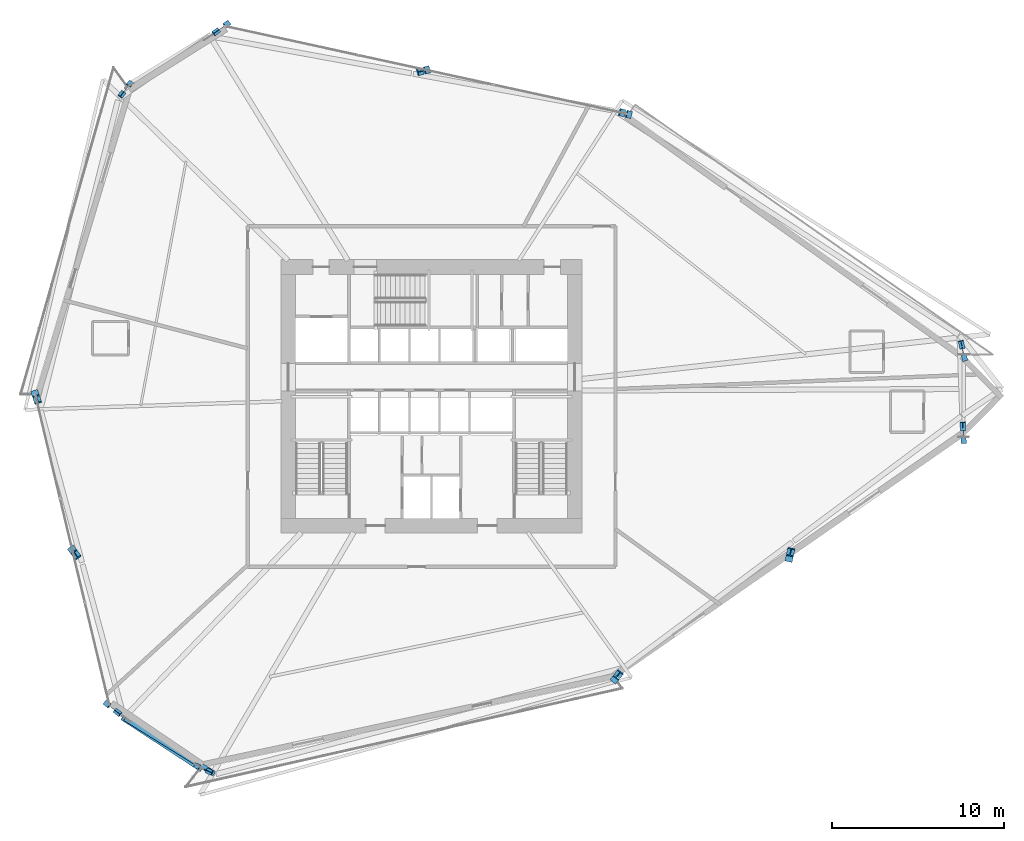
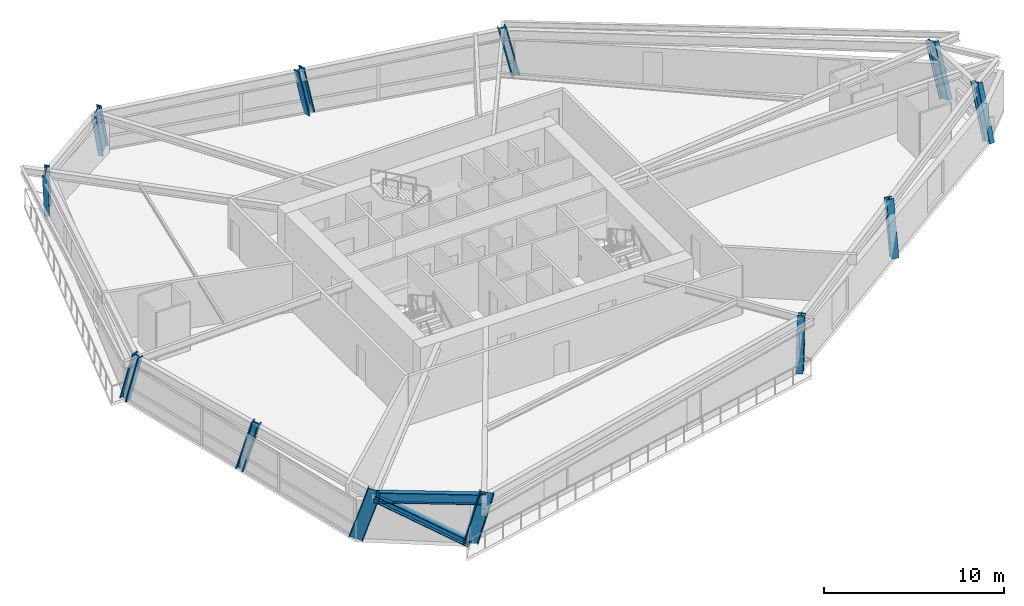
# One storey, part 1 of 21: 12 columns, 1 beam, 1 member.
"""IFC4 building model written with IfcOpenShell, lengths in metres."""

from ifc_helpers import new_model, si_unit, direction, frame, origin, origin_2d, place, context, subcontext, project, spatial, i_section, extrude, source, transform, mapped, material, material_profile, profile_set, type_object, element, save


model = new_model("IFC4")

# Units and contexts
model_context = context("Model", 3, precision=1e-05, world=origin(), true_north=direction((0.0, 1.0)))
body_context = subcontext(model_context, "Body", "Model", "MODEL_VIEW")
ifc_project = project(units=[si_unit("LENGTHUNIT", "METRE"), si_unit("AREAUNIT", "SQUARE_METRE"), si_unit("VOLUMEUNIT", "CUBIC_METRE"), si_unit("PLANEANGLEUNIT", "RADIAN"), si_unit("MASSUNIT", "GRAM", prefix="KILO")], contexts=[model_context])

# Site, building, storey
site_placement = place(None, origin())
site = spatial("IfcSite", under=ifc_project, at=site_placement, CompositionType="ELEMENT")
building_placement = place(site_placement, origin())
building = spatial("IfcBuilding", under=site, at=building_placement, Name="Olszyna Solenne Hotel", CompositionType="ELEMENT")
storey_placement = place(building_placement, frame((0.0, 0.0, 39.949951171875)))
storey = spatial("IfcBuildingStorey", under=building, at=storey_placement, Name="L09", CompositionType="ELEMENT", Elevation=39.949951171875)

# Columns
ifc_material_1 = material(Name="Steel S460M", Category="steel")
ifc_material_profile_1 = material_profile(ifc_material_1, i_section(OverallWidth=0.30810546875, OverallDepth=0.81396484375, WebThickness=0.02099609375, FlangeThickness=0.0400390625, at=origin_2d()), Name="HEM 800", Category="load-bearing")
ifc_profile_set_1 = profile_set([ifc_material_profile_1], Name="Steel S460M")
column_type_1 = type_object("IfcColumnType", Name="COL-K1", PredefinedType="COLUMN", material=ifc_profile_set_1)
shared_shape_1 = source(origin(), body_context, "Body", "SweptSolid", [
    extrude(i_section(OverallWidth=0.30810546875, OverallDepth=0.81396484375, WebThickness=0.02099609375, FlangeThickness=0.0400390625, at=origin_2d()), origin(), (0.0, 0.0, 1.0), 3.60595703125),
])
column_1_placement = place(storey_placement, frame((68.934326171875, 24.244873046875, 0.0), z_axis=(-0.018551232356, 0.344145671769, 0.938732980341), x_axis=(-0.998550274762, -0.053827026418, 0.0)))
element("IfcColumn", 1, at=column_1_placement, inside=storey, type_object=column_type_1, Name="Perimeter framed-tube column COL-K1 C-L09-01", PredefinedType="COLUMN", context=body_context, shape_type="MappedRepresentation", body=[
    mapped(shared_shape_1, transform((0.0, 0.0, 0.0), x_axis=(1.0, 0.0, 0.0), y_axis=(0.0, 1.0, 0.0), z_axis=(0.0, 0.0, 1.0), scale=1.0)),
])
shared_shape_2 = source(origin(), body_context, "Body", "SweptSolid", [
    extrude(i_section(OverallWidth=0.30810546875, OverallDepth=0.81396484375, WebThickness=0.02099609375, FlangeThickness=0.0400390625, at=origin_2d()), origin(), (0.0, 0.0, 1.0), 3.574951171875),
])
column_2_placement = place(storey_placement, frame((68.955078125, 29.029541015625, 0.0), z_axis=(-0.068973316076, 0.31420418541, 0.946846561772), x_axis=(-0.976743258821, -0.214412234603, 0.0)))
element("IfcColumn", 2, at=column_2_placement, inside=storey, type_object=column_type_1, Name="Perimeter framed-tube column COL-K1 C-L09-02", PredefinedType="COLUMN", context=body_context, shape_type="MappedRepresentation", body=[
    mapped(shared_shape_2, transform((0.0, 0.0, 0.0), x_axis=(1.0, 0.0, 0.0), y_axis=(0.0, 1.0, 0.0), z_axis=(0.0, 0.0, 1.0), scale=1.0)),
])
ifc_material_profile_2 = material_profile(ifc_material_1, i_section(OverallWidth=0.424072265625, OverallDepth=0.47412109375, WebThickness=0.04296875, FlangeThickness=0.068115234375, at=origin_2d()), Name="HD 400x634", Category="load-bearing")
ifc_profile_set_2 = profile_set([ifc_material_profile_2], Name="Steel S460M")
column_type_2 = type_object("IfcColumnType", Name="COL-T1", PredefinedType="COLUMN", material=ifc_profile_set_2)
shared_shape_3 = source(origin(), body_context, "Body", "SweptSolid", [
    extrude(i_section(OverallWidth=0.424072265625, OverallDepth=0.47412109375, WebThickness=0.04296875, FlangeThickness=0.068115234375, at=origin_2d()), origin(), (0.0, 0.0, 1.0), 3.474609375),
])
column_3_placement = place(storey_placement, frame((49.411865234375, 43.01513671875, 0.0), z_axis=(-0.218585683699, 0.056420541308, 0.974185311632), x_axis=(-0.249925084168, -0.968265176645, 0.0)))
element("IfcColumn", 3, at=column_3_placement, inside=storey, type_object=column_type_2, Name="Perimeter framed-tube column COL-T1 C-L09-03", PredefinedType="COLUMN", context=body_context, shape_type="MappedRepresentation", body=[
    mapped(shared_shape_3, transform((0.0, 0.0, 0.0), x_axis=(1.0, 0.0, 0.0), y_axis=(0.0, 1.0, 0.0), z_axis=(0.0, 0.0, 1.0), scale=1.0)),
])
shared_shape_4 = source(origin(), body_context, "Body", "SweptSolid", [
    extrude(i_section(OverallWidth=0.424072265625, OverallDepth=0.47412109375, WebThickness=0.04296875, FlangeThickness=0.068115234375, at=origin_2d()), origin(), (0.0, 0.0, 1.0), 3.4814453125),
])
column_4_placement = place(storey_placement, frame((37.672119140625, 45.57568359375, 0.0), z_axis=(-0.226514536795, -0.057154596746, 0.97232942807), x_axis=(0.244654027614, -0.96961044073, 0.0)))
element("IfcColumn", 4, at=column_4_placement, inside=storey, type_object=column_type_2, Name="Perimeter framed-tube column COL-T1 C-L09-04", PredefinedType="COLUMN", context=body_context, shape_type="MappedRepresentation", body=[
    mapped(shared_shape_4, transform((0.0, 0.0, 0.0), x_axis=(1.0, 0.0, 0.0), y_axis=(0.0, 1.0, 0.0), z_axis=(0.0, 0.0, 1.0), scale=1.0)),
])
shared_shape_5 = source(origin(), body_context, "Body", "SweptSolid", [
    extrude(i_section(OverallWidth=0.30810546875, OverallDepth=0.81396484375, WebThickness=0.02099609375, FlangeThickness=0.0400390625, at=origin_2d()), origin(), (0.0, 0.0, 1.0), 3.53271484375),
])
column_5_placement = place(storey_placement, frame((25.931884765625, 48.136474609375, 0.0), z_axis=(-0.231309558777, -0.168350787326, 0.958203475482), x_axis=(0.588458930273, -0.808527109862, 0.0)))
element("IfcColumn", 5, at=column_5_placement, inside=storey, type_object=column_type_1, Name="Perimeter framed-tube column COL-K1 C-L09-05", PredefinedType="COLUMN", context=body_context, shape_type="MappedRepresentation", body=[
    mapped(shared_shape_5, transform((0.0, 0.0, 0.0), x_axis=(1.0, 0.0, 0.0), y_axis=(0.0, 1.0, 0.0), z_axis=(0.0, 0.0, 1.0), scale=1.0)),
])
shared_shape_6 = source(origin(), body_context, "Body", "SweptSolid", [
    extrude(i_section(OverallWidth=0.30810546875, OverallDepth=0.81396484375, WebThickness=0.02099609375, FlangeThickness=0.0400390625, at=origin_2d()), origin(), (0.0, 0.0, 1.0), 3.503173828125),
])
column_6_placement = place(storey_placement, frame((20.32080078125, 44.6025390625, 0.0), z_axis=(-0.155904547474, -0.204829443462, 0.966301542567), x_axis=(0.795723738554, -0.605659749284, 0.0)))
element("IfcColumn", 6, at=column_6_placement, inside=storey, type_object=column_type_1, Name="Perimeter framed-tube column COL-K1 C-L09-06", PredefinedType="COLUMN", context=body_context, shape_type="MappedRepresentation", body=[
    mapped(shared_shape_6, transform((0.0, 0.0, 0.0), x_axis=(1.0, 0.0, 0.0), y_axis=(0.0, 1.0, 0.0), z_axis=(0.0, 0.0, 1.0), scale=1.0)),
])
shared_shape_7 = source(origin(), body_context, "Body", "SweptSolid", [
    extrude(i_section(OverallWidth=0.424072265625, OverallDepth=0.47412109375, WebThickness=0.04296875, FlangeThickness=0.068115234375, at=origin_2d()), origin(), (0.0, 0.0, 1.0), 3.509521484375),
])
column_7_placement = place(storey_placement, frame((14.954833984375, 26.732666015625, 0.0), z_axis=(0.084035743792, -0.250228949024, 0.96453277126), x_axis=(0.947969326335, 0.318361675344, 0.0)))
element("IfcColumn", 7, at=column_7_placement, inside=storey, type_object=column_type_2, Name="Perimeter framed-tube column COL-T1 C-L09-07", PredefinedType="COLUMN", context=body_context, shape_type="MappedRepresentation", body=[
    mapped(shared_shape_7, transform((0.0, 0.0, 0.0), x_axis=(1.0, 0.0, 0.0), y_axis=(0.0, 1.0, 0.0), z_axis=(0.0, 0.0, 1.0), scale=1.0)),
])
shared_shape_8 = source(origin(), body_context, "Body", "SweptSolid", [
    extrude(i_section(OverallWidth=0.424072265625, OverallDepth=0.47412109375, WebThickness=0.04296875, FlangeThickness=0.068115234375, at=origin_2d()), origin(), (0.0, 0.0, 1.0), 3.51806640625),
])
column_8_placement = place(storey_placement, frame((17.11962890625, 17.658203125, 0.0), z_axis=(0.160790662354, -0.219916102288, 0.962176320044), x_axis=(0.80724641401, 0.590214560196, 0.0)))
element("IfcColumn", 8, at=column_8_placement, inside=storey, type_object=column_type_2, Name="Perimeter framed-tube column COL-T1 C-L09-08", PredefinedType="COLUMN", context=body_context, shape_type="MappedRepresentation", body=[
    mapped(shared_shape_8, transform((0.0, 0.0, 0.0), x_axis=(1.0, 0.0, 0.0), y_axis=(0.0, 1.0, 0.0), z_axis=(0.0, 0.0, 1.0), scale=1.0)),
])
shared_shape_9 = source(origin(), body_context, "Body", "SweptSolid", [
    extrude(i_section(OverallWidth=0.30810546875, OverallDepth=0.81396484375, WebThickness=0.02099609375, FlangeThickness=0.0400390625, at=origin_2d()), origin(), (0.0, 0.0, 1.0), 3.550537109375),
])
column_9_placement = place(storey_placement, frame((19.2841796875, 8.583984375, 0.0), z_axis=(0.235644751248, -0.188543305492, 0.953374518835), x_axis=(0.624750617891, 0.780824349931, 0.0)))
element("IfcColumn", 9, at=column_9_placement, inside=storey, type_object=column_type_1, Name="Perimeter framed-tube column COL-K1 C-L09-09", PredefinedType="COLUMN", context=body_context, shape_type="MappedRepresentation", body=[
    mapped(shared_shape_9, transform((0.0, 0.0, 0.0), x_axis=(1.0, 0.0, 0.0), y_axis=(0.0, 1.0, 0.0), z_axis=(0.0, 0.0, 1.0), scale=1.0)),
])
shared_shape_10 = source(origin(), body_context, "Body", "SweptSolid", [
    extrude(i_section(OverallWidth=0.30810546875, OverallDepth=0.81396484375, WebThickness=0.02099609375, FlangeThickness=0.0400390625, at=origin_2d()), origin(), (0.0, 0.0, 1.0), 3.508544921875),
])
column_10_placement = place(storey_placement, frame((24.57373046875, 5.002685546875, 0.0), z_axis=(0.239435581486, -0.109036778898, 0.964770222989), x_axis=(0.414440493718, 0.910076412817, 0.0)))
element("IfcColumn", 10, at=column_10_placement, inside=storey, type_object=column_type_1, Name="Perimeter framed-tube column COL-K1 C-L09-10", PredefinedType="COLUMN", context=body_context, shape_type="MappedRepresentation", body=[
    mapped(shared_shape_10, transform((0.0, 0.0, 0.0), x_axis=(1.0, 0.0, 0.0), y_axis=(0.0, 1.0, 0.0), z_axis=(0.0, 0.0, 1.0), scale=1.0)),
])
shared_shape_11 = source(origin(), body_context, "Body", "SweptSolid", [
    extrude(i_section(OverallWidth=0.424072265625, OverallDepth=0.47412109375, WebThickness=0.04296875, FlangeThickness=0.068115234375, at=origin_2d()), origin(), (0.0, 0.0, 1.0), 3.480224609375),
])
column_11_placement = place(storey_placement, frame((48.683837890625, 10.1748046875, 0.0), z_axis=(0.140934148602, 0.184638466461, 0.972649064391), x_axis=(-0.79489758115, 0.60674363242, 0.0)))
element("IfcColumn", 11, at=column_11_placement, inside=storey, type_object=column_type_2, Name="Perimeter framed-tube column COL-T1 C-L09-11", PredefinedType="COLUMN", context=body_context, shape_type="MappedRepresentation", body=[
    mapped(shared_shape_11, transform((0.0, 0.0, 0.0), x_axis=(1.0, 0.0, 0.0), y_axis=(0.0, 1.0, 0.0), z_axis=(0.0, 0.0, 1.0), scale=1.0)),
])
shared_shape_12 = source(origin(), body_context, "Body", "SweptSolid", [
    extrude(i_section(OverallWidth=0.424072265625, OverallDepth=0.47412109375, WebThickness=0.04296875, FlangeThickness=0.068115234375, at=origin_2d()), origin(), (0.0, 0.0, 1.0), 3.52001953125),
])
column_12_placement = place(storey_placement, frame((58.80908203125, 17.209716796875, 0.0), z_axis=(0.060202946145, 0.267584062475, 0.961651898966), x_axis=(-0.975612463844, 0.219500160346, 0.0)))
element("IfcColumn", 12, at=column_12_placement, inside=storey, type_object=column_type_2, Name="Perimeter framed-tube column COL-T1 C-L09-12", PredefinedType="COLUMN", context=body_context, shape_type="MappedRepresentation", body=[
    mapped(shared_shape_12, transform((0.0, 0.0, 0.0), x_axis=(1.0, 0.0, 0.0), y_axis=(0.0, 1.0, 0.0), z_axis=(0.0, 0.0, 1.0), scale=1.0)),
])

# Beam
ifc_material_2 = material(Name="Steel S355J2", Category="steel")
ifc_material_profile_3 = material_profile(ifc_material_2, i_section(OverallWidth=0.300048828125, OverallDepth=0.699951171875, WebThickness=0.01708984375, FlangeThickness=0.031982421875, at=origin_2d()), Name="HEB 700", Category="load-bearing")
ifc_profile_set_3 = profile_set([ifc_material_profile_3], Name="Steel S355J2")
beam_type = type_object("IfcBeamType", Name="BM-S1", PredefinedType="BEAM", material=ifc_profile_set_3)
shared_shape_13 = source(origin(), body_context, "Body", "SweptSolid", [
    extrude(i_section(OverallWidth=0.300048828125, OverallDepth=0.699951171875, WebThickness=0.01708984375, FlangeThickness=0.031982421875, at=origin_2d()), origin(), (0.0, 0.0, 1.0), 6.114501953125),
])
beam_placement = place(storey_placement, frame((20.171875, 7.8828125, 2.949951171875), z_axis=(0.848961466459, -0.528454755365, 0.0), x_axis=(0.528454755365, 0.848961466459, 0.0)))
element("IfcBeam", 13, at=beam_placement, inside=storey, type_object=beam_type, Name="Perimeter spandrel beam BM-S1 B-L09-0297", PredefinedType="BEAM", context=body_context, shape_type="MappedRepresentation", body=[
    mapped(shared_shape_13, transform((0.0, 0.0, 0.0), x_axis=(1.0, 0.0, 0.0), y_axis=(0.0, 1.0, 0.0), z_axis=(0.0, 0.0, 1.0), scale=1.0)),
])

# Member
ifc_material_profile_4 = material_profile(ifc_material_1, i_section(OverallWidth=0.412109375, OverallDepth=0.43505859375, WebThickness=0.031494140625, FlangeThickness=0.050048828125, at=origin_2d()), Name="HD 400x463", Category="load-bearing")
ifc_profile_set_4 = profile_set([ifc_material_profile_4], Name="Steel S460M")
member_type = type_object("IfcMemberType", Name="BR-T1", PredefinedType="BRACE", material=ifc_profile_set_4)
shared_shape_14 = source(origin(), body_context, "Body", "SweptSolid", [
    extrude(i_section(OverallWidth=0.412109375, OverallDepth=0.43505859375, WebThickness=0.031494140625, FlangeThickness=0.050048828125, at=origin_2d()), origin(), (0.0, 0.0, 1.0), 6.061767578125),
])
member_placement = place(storey_placement, frame((24.57373046875, 5.002685546875, 0.010009765625), z_axis=(-0.734571802844, 0.480357360191, 0.479229666212), x_axis=(-0.547297579381, -0.836938085884, 0.0)))
element("IfcMember", 14, at=member_placement, inside=storey, type_object=member_type, Name="Perimeter braced-tube diagonal BR-T1 BR-L09-3", PredefinedType="BRACE", context=body_context, shape_type="MappedRepresentation", body=[
    mapped(shared_shape_14, transform((0.0, 0.0, 0.0), x_axis=(1.0, 0.0, 0.0), y_axis=(0.0, 1.0, 0.0), z_axis=(0.0, 0.0, 1.0), scale=1.0)),
])

save(model, "model.ifc")
